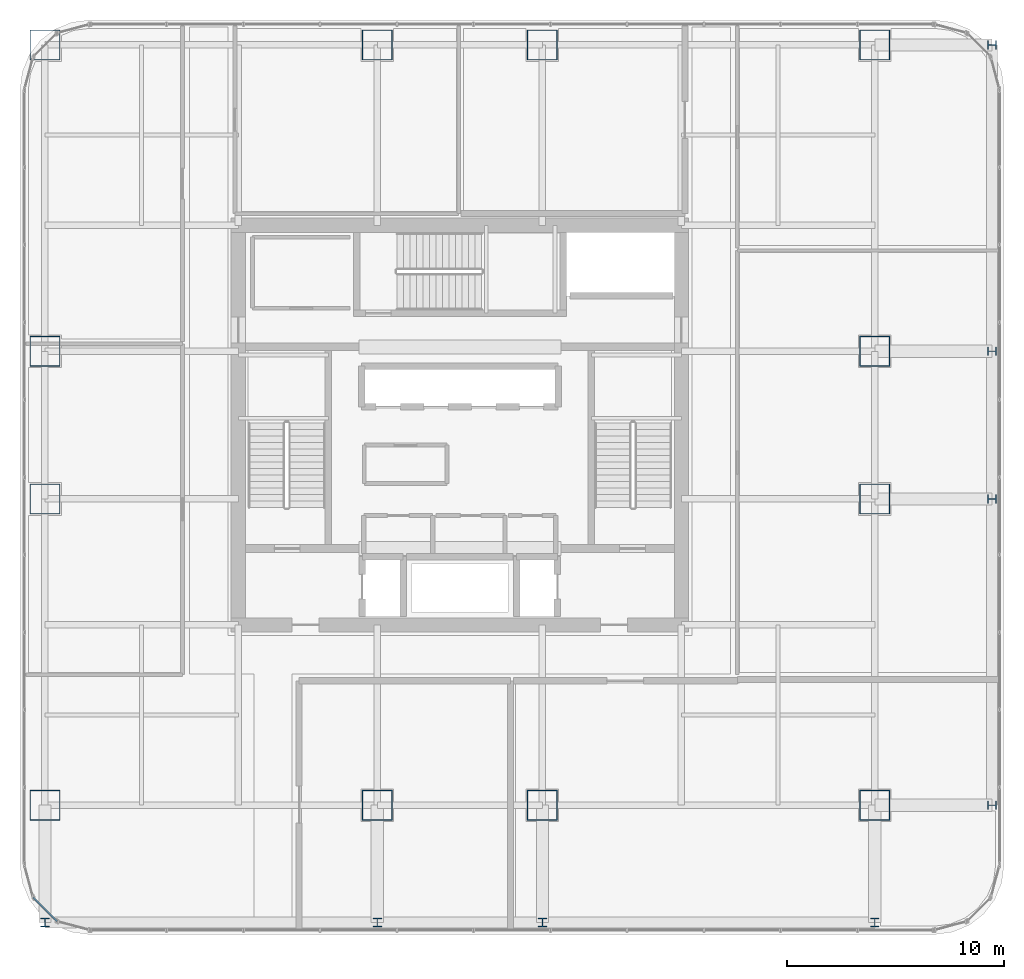
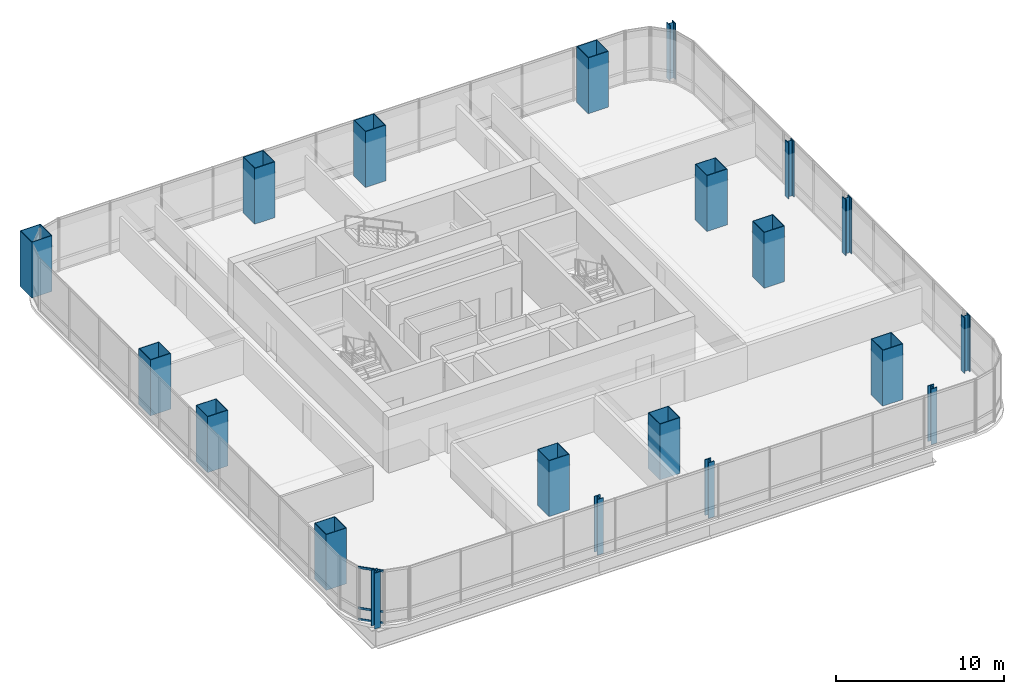
# One storey, part 1 of 35: 20 columns, 3 members, 1 element without a shape of its own.
"""IFC4 building model written with IfcOpenShell, lengths in metres."""

from ifc_helpers import new_model, si_unit, direction, frame, origin, origin_2d, place, context, subcontext, project, spatial, hollow_rectangle, i_section, extrude, material, material_profile, profile_set, type_object, element, aggregate, save


model = new_model("IFC4")

# Units and contexts
model_context = context("Model", 3, precision=1e-05, world=origin(), true_north=direction((0.0, 1.0)))
body_context = subcontext(model_context, "Body", "Model", "MODEL_VIEW")
ifc_project = project(units=[si_unit("LENGTHUNIT", "METRE"), si_unit("AREAUNIT", "SQUARE_METRE"), si_unit("VOLUMEUNIT", "CUBIC_METRE"), si_unit("PLANEANGLEUNIT", "RADIAN"), si_unit("MASSUNIT", "GRAM", prefix="KILO")], contexts=[model_context])

# Site, building, storey
site_placement = place(None, origin())
site = spatial("IfcSite", under=ifc_project, at=site_placement, CompositionType="ELEMENT")
building_placement = place(site_placement, origin())
building = spatial("IfcBuilding", under=site, at=building_placement, Name="Punatoya Terracotta Tower", CompositionType="ELEMENT")
storey_placement = place(building_placement, frame((0.0, 0.0, 216.75)))
storey = spatial("IfcBuildingStorey", under=building, at=storey_placement, Name="L51", CompositionType="ELEMENT", Elevation=216.75)

# Columns
ifc_material_1 = material(Name="Steel S460", Category="steel")
ifc_material_profile_1 = material_profile(ifc_material_1, i_section(OverallWidth=0.408935546875, OverallDepth=0.425048828125, WebThickness=0.031982421875, FlangeThickness=0.052001953125, FilletRadius=0.01806640625, at=origin_2d()))
ifc_profile_set_1 = profile_set([ifc_material_profile_1], Name="Steel S460")
column_type_1 = type_object("IfcColumnType", Name="COL-EX-M2", PredefinedType="COLUMN", material=ifc_profile_set_1)
for number, where, z_axis, x_axis, name in (
    (1, (-19.10009765625, -22.89990234375, 0.0), (0.0, 0.0, 1.0), (1.0, 0.0, 0.0), "L51 Exoskeleton Perimeter Column S1"),
    (2, (-3.800048828125, -22.89990234375, 0.0), (0.0, 0.0, 1.0), (1.0, 0.0, 0.0), "L51 Exoskeleton Perimeter Column S2"),
    (3, (3.800048828125, -22.89990234375, 0.0), (0.0, 0.0, 1.0), (1.0, 0.0, 0.0), "L51 Exoskeleton Perimeter Column S3"),
    (4, (19.10009765625, -22.89990234375, 0.0), (0.0, 0.0, 1.0), (1.0, 0.0, 0.0), "L51 Exoskeleton Perimeter Column S4"),
    (5, (24.5, -17.5, 0.0), (0.0, 0.0, 1.0), (0.0, 1.0, 0.0), "L51 Exoskeleton Perimeter Column E1"),
    (6, (24.5, -3.39990234375, 0.0), (0.0, 0.0, 1.0), (0.0, 1.0, 0.0), "L51 Exoskeleton Perimeter Column E2"),
    (7, (24.5, 3.39990234375, 0.0), (0.0, 0.0, 1.0), (0.0, 1.0, 0.0), "L51 Exoskeleton Perimeter Column E3"),
    (8, (24.5, 17.5, 0.0), (0.0, 0.0, 1.0), (0.0, 1.0, 0.0), "L51 Exoskeleton Perimeter Column E4"),
):
    element("IfcColumn", number, at=place(storey_placement, frame(where, z_axis=z_axis, x_axis=x_axis)), inside=storey, type_object=column_type_1, Name=name, PredefinedType="COLUMN", context=body_context, shape_type="SweptSolid", body=[
        extrude(i_section(OverallWidth=0.408935546875, OverallDepth=0.425048828125, WebThickness=0.031982421875, FlangeThickness=0.052001953125, FilletRadius=0.01806640625, at=origin_2d()), origin(), (0.0, 0.0, 1.0), 4.048095703125),
    ])
ifc_material_profile_2 = material_profile(ifc_material_1, hollow_rectangle(XDim=1.39990234375, YDim=1.39990234375, WallThickness=0.0419921875, at=origin_2d()))
ifc_profile_set_2 = profile_set([ifc_material_profile_2], Name="Steel S460")
column_type_2 = type_object("IfcColumnType", Name="COL-MC-Z2", PredefinedType="COLUMN", material=ifc_profile_set_2)
for number, where, z_axis, x_axis, name in (
    (9, (-19.10009765625, -17.5, 0.0), (0.0, 0.0, 1.0), (1.0, 0.0, 0.0), "L51 Composite Mega-Column MC-01 (3-B)"),
    (10, (-3.800048828125, -17.5, 0.0), (0.0, 0.0, 1.0), (1.0, 0.0, 0.0), "L51 Composite Mega-Column MC-02 (5-B)"),
    (11, (3.800048828125, -17.5, 0.0), (0.0, 0.0, 1.0), (1.0, 0.0, 0.0), "L51 Composite Mega-Column MC-03 (7-B)"),
    (12, (19.10009765625, -17.5, 0.0), (0.0, 0.0, 1.0), (1.0, 0.0, 0.0), "L51 Composite Mega-Column MC-04 (9-B)"),
    (13, (19.10009765625, -3.39990234375, 0.0), (0.0, 0.0, 1.0), (1.0, 0.0, 0.0), "L51 Composite Mega-Column MC-05 (9-D)"),
    (14, (19.10009765625, 3.39990234375, 0.0), (0.0, 0.0, 1.0), (1.0, 0.0, 0.0), "L51 Composite Mega-Column MC-06 (9-E)"),
    (15, (19.10009765625, 17.5, 0.0), (0.0, 0.0, 1.0), (1.0, 0.0, 0.0), "L51 Composite Mega-Column MC-07 (9-G)"),
    (16, (3.800048828125, 17.5, 0.0), (0.0, 0.0, 1.0), (1.0, 0.0, 0.0), "L51 Composite Mega-Column MC-08 (7-G)"),
    (17, (-3.800048828125, 17.5, 0.0), (0.0, 0.0, 1.0), (1.0, 0.0, 0.0), "L51 Composite Mega-Column MC-09 (5-G)"),
    (18, (-19.10009765625, 17.5, 0.0), (0.0, 0.0, 1.0), (1.0, 0.0, 0.0), "L51 Composite Mega-Column MC-10 (3-G)"),
    (19, (-19.10009765625, 3.39990234375, 0.0), (0.0, 0.0, 1.0), (1.0, 0.0, 0.0), "L51 Composite Mega-Column MC-11 (3-E)"),
    (20, (-19.10009765625, -3.39990234375, 0.0), (0.0, 0.0, 1.0), (1.0, 0.0, 0.0), "L51 Composite Mega-Column MC-12 (3-D)"),
):
    element("IfcColumn", number, at=place(storey_placement, frame(where, z_axis=z_axis, x_axis=x_axis)), inside=storey, type_object=column_type_2, Name=name, PredefinedType="COLUMN", context=body_context, shape_type="SweptSolid", body=[
        extrude(hollow_rectangle(XDim=1.39990234375, YDim=1.39990234375, WallThickness=0.0419921875, at=origin_2d()), origin(), (0.0, 0.0, 1.0), 4.050048828125),
    ])

# Curtain wall, members
ifc_material_2 = material(Name="Aluminium 6063-T6 + Double Low-E Glass", Category="aluminium")
curtain_wall_type = type_object("IfcCurtainWallType", Name="CW-M2", PredefinedType="NOTDEFINED", material=ifc_material_2)
curtain_wall_placement = place(storey_placement, origin())
curtain_wall = element("IfcCurtainWall", 21, at=curtain_wall_placement, inside=storey, type_object=curtain_wall_type, Name="L51 Curtain Wall CW-L51-CRN15", PredefinedType="NOTDEFINED")
ifc_material_3 = material(Name="Aluminium 6063-T6", Category="aluminium")
ifc_material_profile_3 = material_profile(ifc_material_3, hollow_rectangle(XDim=0.068115234375, YDim=0.14990234375, WallThickness=0.00390625, at=origin_2d()))
ifc_profile_set_3 = profile_set([ifc_material_profile_3], Name="Aluminium 6063-T6")
member_type = type_object("IfcMemberType", Name="CW-TRN-TYP", PredefinedType="USERDEFINED", material=ifc_profile_set_3)
member_1_placement = place(storey_placement, frame((-19.646484375, -21.7490234375, 0.0400390625), z_axis=(0.707028130747, -0.707185422879, 0.0), x_axis=(0.707185422879, 0.707028130747, 0.0)))
member_1 = element("IfcMember", 22, at=member_1_placement, type_object=member_type, Name="CW-L51-CRN15 Transom 1", ObjectType="TRANSOM", PredefinedType="USERDEFINED", context=body_context, shape_type="SweptSolid", body=[
    extrude(hollow_rectangle(XDim=0.068115234375, YDim=0.14990234375, WallThickness=0.00390625, at=origin_2d()), origin(), (0.0, 0.0, 1.0), 1.55224609375),
])
member_2_placement = place(storey_placement, frame((-19.646484375, -21.7490234375, 0.85009765625), z_axis=(0.707028130747, -0.707185422879, 0.0), x_axis=(0.707185422879, 0.707028130747, 0.0)))
member_2 = element("IfcMember", 23, at=member_2_placement, type_object=member_type, Name="CW-L51-CRN15 Transom 2", ObjectType="TRANSOM", PredefinedType="USERDEFINED", context=body_context, shape_type="SweptSolid", body=[
    extrude(hollow_rectangle(XDim=0.068115234375, YDim=0.14990234375, WallThickness=0.00390625, at=origin_2d()), origin(), (0.0, 0.0, 1.0), 1.55224609375),
])
member_3_placement = place(storey_placement, frame((-19.646484375, -21.7490234375, 3.7900390625), z_axis=(0.707028130747, -0.707185422879, 0.0), x_axis=(0.707185422879, 0.707028130747, 0.0)))
member_3 = element("IfcMember", 24, at=member_3_placement, type_object=member_type, Name="CW-L51-CRN15 Transom 3", ObjectType="TRANSOM", PredefinedType="USERDEFINED", context=body_context, shape_type="SweptSolid", body=[
    extrude(hollow_rectangle(XDim=0.068115234375, YDim=0.14990234375, WallThickness=0.00390625, at=origin_2d()), origin(), (0.0, 0.0, 1.0), 1.55224609375),
])
aggregate(curtain_wall, [member_1, member_2, member_3])

save(model, "model.ifc")
